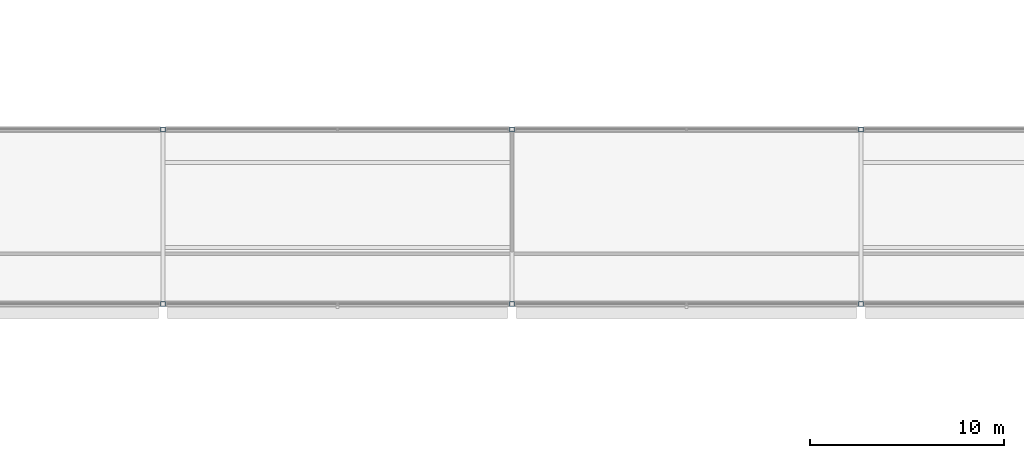
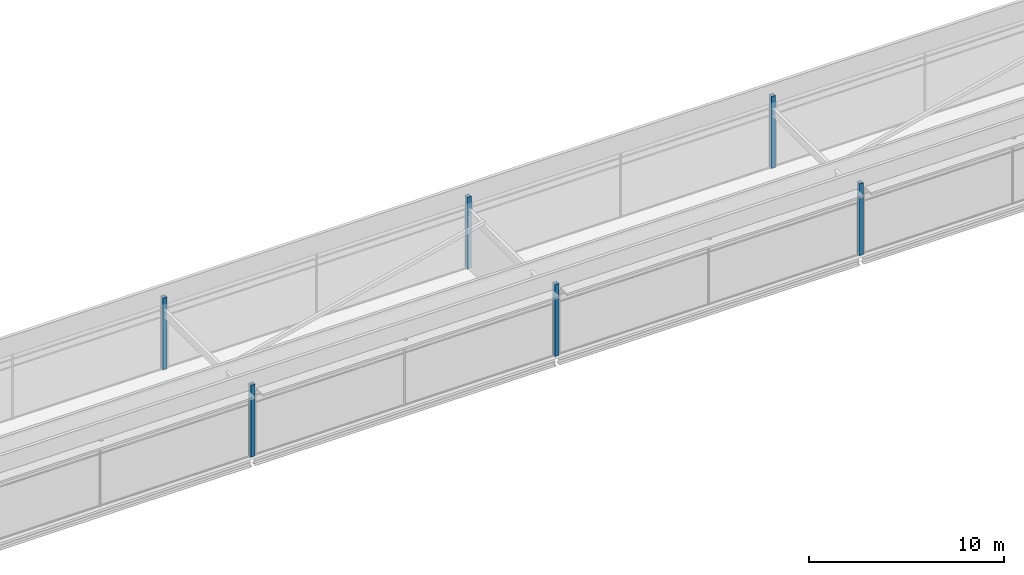
# One storey, part 4 of 73: 6 columns.
"""IFC4 building model written with IfcOpenShell, lengths in metres."""

from ifc_helpers import new_model, si_unit, direction, frame, origin, origin_2d, place, context, subcontext, project, spatial, hollow_rectangle, extrude, material, material_profile, profile_set, type_object, element, save


model = new_model("IFC4")

# Units and contexts
model_context = context("Model", 3, precision=1e-05, world=origin(), true_north=direction((0.0, 1.0)))
body_context = subcontext(model_context, "Body", "Model", "MODEL_VIEW")
ifc_project = project(units=[si_unit("LENGTHUNIT", "METRE"), si_unit("AREAUNIT", "SQUARE_METRE"), si_unit("VOLUMEUNIT", "CUBIC_METRE"), si_unit("PLANEANGLEUNIT", "RADIAN"), si_unit("MASSUNIT", "GRAM", prefix="KILO")], contexts=[model_context])

# Site, building, storey
site_placement = place(None, origin())
site = spatial("IfcSite", under=ifc_project, at=site_placement, CompositionType="ELEMENT")
building_placement = place(site_placement, origin())
building = spatial("IfcBuilding", under=site, at=building_placement, Name="Kisiwana Market Hall", CompositionType="ELEMENT")
storey_placement = place(building_placement, frame((0.0, 0.0, 33.300048828125)))
storey = spatial("IfcBuildingStorey", under=building, at=storey_placement, Name="L07", CompositionType="ELEMENT", Elevation=33.300048828125)

# Columns
ifc_material = material(Name="Steel S355", Category="steel")
ifc_material_profile = material_profile(ifc_material, hollow_rectangle(XDim=0.25, YDim=0.25, WallThickness=0.012451171875, at=origin_2d()), Name="SHS 250x250x12.5")
ifc_profile_set = profile_set([ifc_material_profile], Name="Steel S355")
column_type = type_object("IfcColumnType", Name="COL-STL-SHS250", PredefinedType="COLUMN", material=ifc_profile_set)
for number, where, z_axis, x_axis, name in (
    (1, (81.0, 18.0, 0.0), (0.0, 0.0, 1.0), (1.0, 0.0, 0.0), "Column C/10 (L07) C-1107"),
    (2, (81.0, 27.0, 0.0), (0.0, 0.0, 1.0), (1.0, 0.0, 0.0), "Column D/10 (L07) C-1108"),
    (3, (99.0, 18.0, 0.0), (0.0, 0.0, 1.0), (1.0, 0.0, 0.0), "Column C/12 (L07) C-1109"),
    (4, (99.0, 27.0, 0.0), (0.0, 0.0, 1.0), (1.0, 0.0, 0.0), "Column D/12 (L07) C-1110"),
    (5, (117.0, 18.0, 0.0), (0.0, 0.0, 1.0), (1.0, 0.0, 0.0), "Column C/14 (L07) C-1111"),
    (6, (117.0, 27.0, 0.0), (0.0, 0.0, 1.0), (1.0, 0.0, 0.0), "Column D/14 (L07) C-1112"),
):
    element("IfcColumn", number, at=place(storey_placement, frame(where, z_axis=z_axis, x_axis=x_axis)), inside=storey, type_object=column_type, Name=name, PredefinedType="COLUMN", context=body_context, shape_type="SweptSolid", body=[
        extrude(hollow_rectangle(XDim=0.25, YDim=0.25, WallThickness=0.012451171875, at=origin_2d()), origin(), (0.0, 0.0, 1.0), 4.5),
    ])

save(model, "model.ifc")
